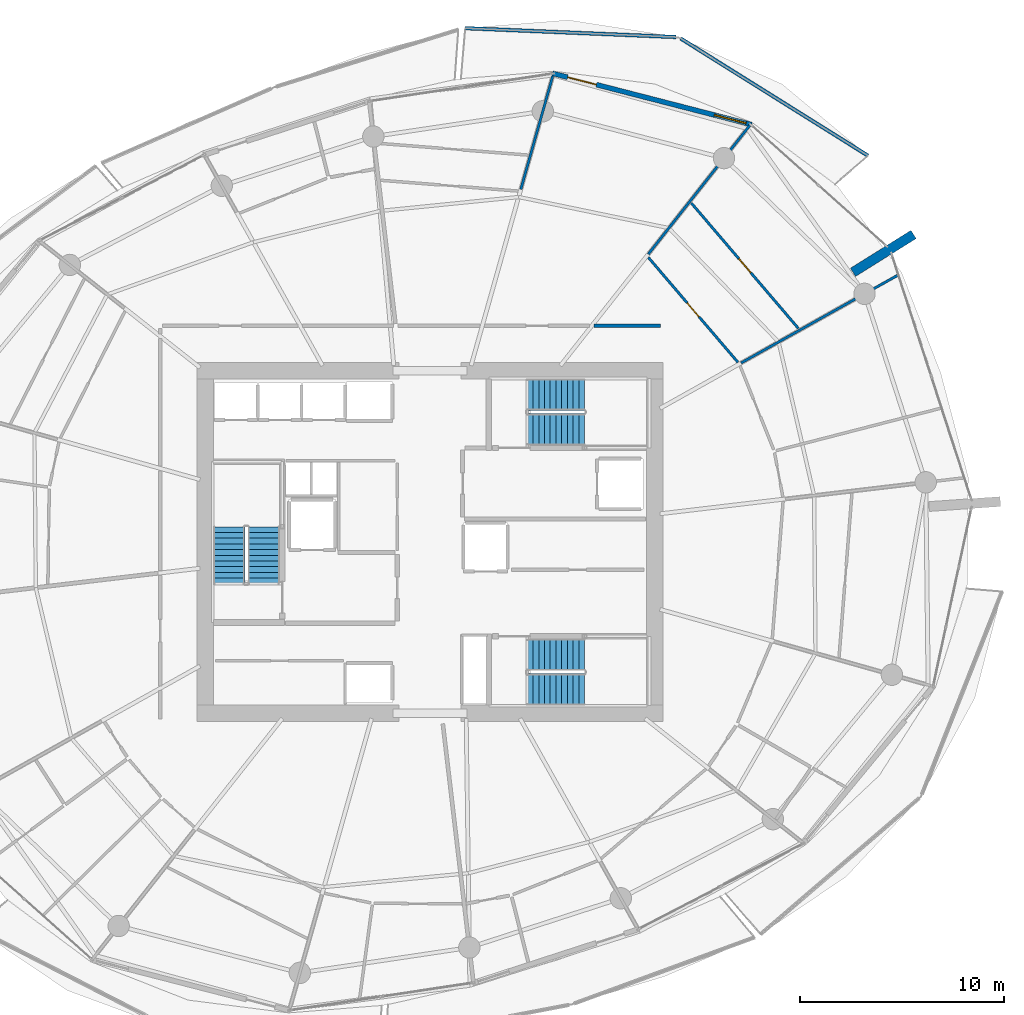
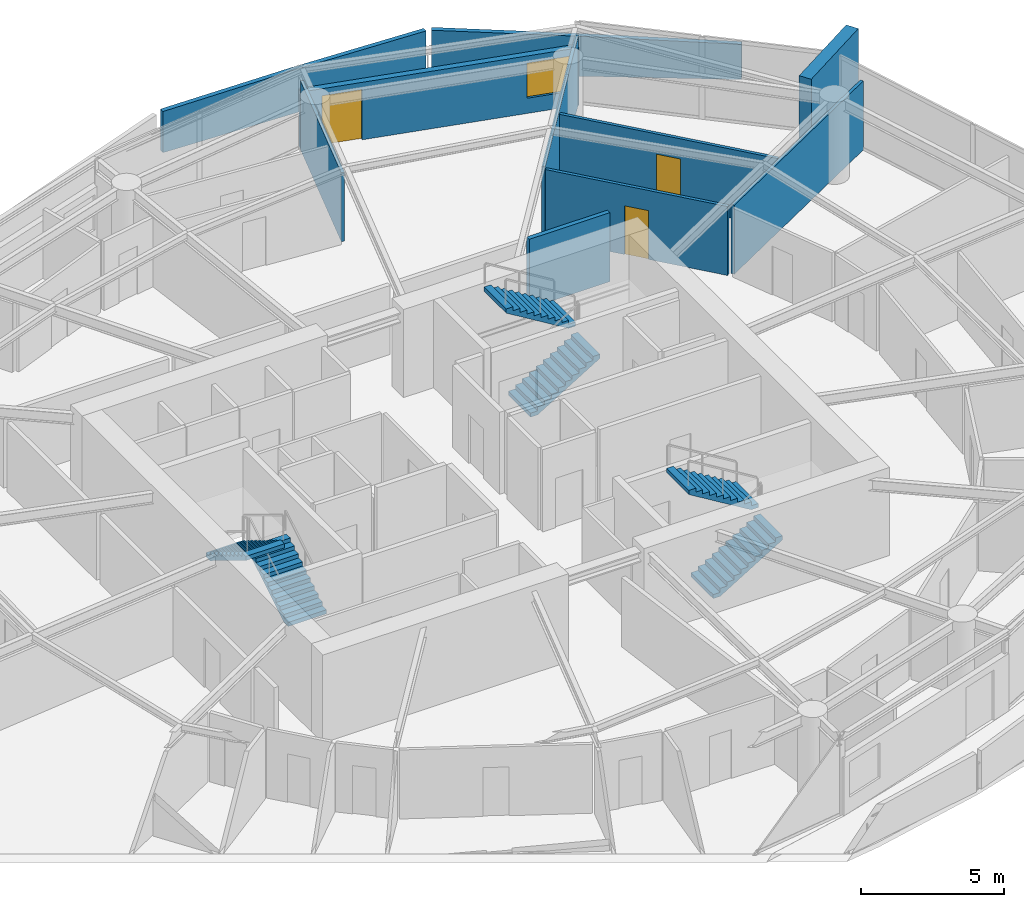
# One storey, part 15 of 20: 10 walls, 6 stair flights, 3 doors, 1 window, 4 openings, 3 elements without a shape of their own.
"""IFC4 building model written with IfcOpenShell, lengths in metres."""

import ifcopenshell
import ifcopenshell.guid

model = None  # the IFC model being written
_history = None  # IfcOwnerHistory: only IFC2X3 demands one
_inside = {}  # id of a spatial element -> (the spatial element, [elements in it])
_under = {}  # id of a project, library or spatial element -> (it, [spatial elements below it])
_declared = {}  # id of a project -> (the project, [libraries it declares])
_typed = {}  # id of a type object -> (the type object, [elements of that type])
_made_of = {}  # id of a material, layer set ... -> (it, [elements and type objects made of it])


def new_model(schema):
    """Start an empty IFC model of exactly this schema.

    Asked for "IFC4X3", IfcOpenShell would pick the latest addendum, in which some entities
    have other attributes; the version numbers below select the first issue.
    IFC2X3 requires an IfcOwnerHistory on every rooted entity: one is made here for all.
    """
    global model, _history
    if schema == "IFC4X3":
        model = ifcopenshell.file(schema_version=(4, 3, 0, 0))
    else:
        model = ifcopenshell.file(schema=schema)
    _inside.clear()
    _under.clear()
    _declared.clear()
    _typed.clear()
    _made_of.clear()
    _history = None
    if model.schema == "IFC2X3":
        org = make("IfcOrganization", Name="unknown")
        user = make(
            "IfcPersonAndOrganization",
            ThePerson=make("IfcPerson", FamilyName="unknown"),
            TheOrganization=org,
        )
        app = make(
            "IfcApplication",
            ApplicationDeveloper=org,
            Version="unknown",
            ApplicationFullName="unknown",
            ApplicationIdentifier="unknown",
        )
        _history = make(
            "IfcOwnerHistory",
            OwningUser=user,
            OwningApplication=app,
            ChangeAction="ADDED",
            CreationDate=0,
        )
    return model


def make(cls, **values):
    """One entity of the class cls with the attributes given. An attribute that is None is left unset."""
    return model.create_entity(
        cls, **{name: value for name, value in values.items() if value is not None}
    )


def rooted(cls, **values):
    """An entity with a GlobalId (a new one), such as an element, a storey or a relation."""
    return make(cls, GlobalId=ifcopenshell.guid.new(), OwnerHistory=_history, **values)


def si_unit(unit_type, name, prefix=None):
    """IfcSIUnit, for example si_unit("LENGTHUNIT", "METRE", prefix="MILLI")."""
    return make("IfcSIUnit", UnitType=unit_type, Prefix=prefix, Name=name)


def assignment(units):
    """IfcUnitAssignment: the units of a project."""
    return None if units is None else make("IfcUnitAssignment", Units=units)


def point(xyz):
    """IfcCartesianPoint."""
    return None if xyz is None else make("IfcCartesianPoint", Coordinates=xyz)


def direction(xyz):
    """IfcDirection."""
    return None if xyz is None else make("IfcDirection", DirectionRatios=xyz)


def frame(location, z_axis=None, x_axis=None):
    """IfcAxis2Placement3D, a coordinate frame: its origin and axes. An axis left out is left unset."""
    return make(
        "IfcAxis2Placement3D",
        Location=point(location),
        Axis=direction(z_axis),
        RefDirection=direction(x_axis),
    )


def frame_2d(location, x_axis=None):
    """IfcAxis2Placement2D, a coordinate frame in the plane: its origin and x axis."""
    return make(
        "IfcAxis2Placement2D", Location=point(location), RefDirection=direction(x_axis)
    )


def origin():
    """The frame at (0, 0, 0) with its axes left unset."""
    return frame((0.0, 0.0, 0.0))


def place(relative_to, where):
    """IfcLocalPlacement: puts the frame where relative to a parent placement (None: the world)."""
    return make(
        "IfcLocalPlacement", PlacementRelTo=relative_to, RelativePlacement=where
    )


def context(
    kind, dimensions, precision=None, world=None, true_north=None, identifier=None
):
    """IfcGeometricRepresentationContext, for example the 3D "Model" context."""
    return make(
        "IfcGeometricRepresentationContext",
        ContextIdentifier=identifier,
        ContextType=kind,
        CoordinateSpaceDimension=dimensions,
        Precision=precision,
        WorldCoordinateSystem=world,
        TrueNorth=true_north,
    )


def subcontext(parent, identifier, kind, view, scale=None):
    """IfcGeometricRepresentationSubContext, for example "Body" below "Model"."""
    return make(
        "IfcGeometricRepresentationSubContext",
        ContextIdentifier=identifier,
        ContextType=kind,
        ParentContext=parent,
        TargetScale=scale,
        TargetView=view,
    )


def project(units=None, contexts=None):
    """IfcProject with its units and contexts."""
    return rooted(
        "IfcProject",
        Name="project",
        RepresentationContexts=contexts,
        UnitsInContext=assignment(units),
    )


def spatial(cls, under=None, at=None, **own):
    """A site, building, storey or space (cls), placed at a placement, below another one or the project."""
    s = rooted(cls, ObjectPlacement=at, **own)
    if under is not None:
        _under.setdefault(under.id(), (under, []))[1].append(s)
    return s


def polyline(points):
    """IfcPolyline through the points."""
    return make("IfcPolyline", Points=[point(p) for p in points])


def profile(cls, at=None, kind="AREA", **sizes):
    """A parametric profile (cls). Its sizes go by their IFC names, for example OverallWidth=200.0."""
    return make(cls, ProfileType=kind, Position=at, **sizes)


def rectangle(**sizes):
    """IfcRectangleProfileDef."""
    return profile("IfcRectangleProfileDef", **sizes)


def outline(outer, holes=None, kind="AREA"):
    """IfcArbitraryClosedProfileDef: a profile drawn as a closed curve; with holes, ...WithVoids."""
    if holes is None:
        return make("IfcArbitraryClosedProfileDef", ProfileType=kind, OuterCurve=outer)
    return make(
        "IfcArbitraryProfileDefWithVoids",
        ProfileType=kind,
        OuterCurve=outer,
        InnerCurves=holes,
    )


def extrude(swept, where, along, depth):
    """IfcExtrudedAreaSolid: the profile swept, set in the frame where, extruded along a direction by depth."""
    return make(
        "IfcExtrudedAreaSolid",
        SweptArea=swept,
        Position=where,
        ExtrudedDirection=direction(along),
        Depth=depth,
    )


def shape(context_of_items, identifier, shape_type, items):
    """IfcShapeRepresentation: the items that make up one representation, for example the "Body"."""
    return make(
        "IfcShapeRepresentation",
        ContextOfItems=context_of_items,
        RepresentationIdentifier=identifier,
        RepresentationType=shape_type,
        Items=items,
    )


def material(Name=None, Category=None):
    """IfcMaterial."""
    return make("IfcMaterial", Name=Name, Category=Category)


def layer(
    of_material, thickness, ventilated=None, Name=None, Category=None, Priority=None
):
    """IfcMaterialLayer: one layer of a wall or slab, of a material (None: an air gap)."""
    return make(
        "IfcMaterialLayer",
        Material=of_material,
        LayerThickness=thickness,
        IsVentilated=ventilated,
        Name=Name,
        Category=Category,
        Priority=Priority,
    )


def layer_set(layers, Name=None):
    """IfcMaterialLayerSet."""
    return make("IfcMaterialLayerSet", MaterialLayers=layers, LayerSetName=Name)


def made_of(thing, what):
    """Note that an element or type object is made of a material, layer set ...; save() writes the relation."""
    if what is not None:
        _made_of.setdefault(what.id(), (what, []))[1].append(thing)
    return thing


def type_object(cls, material=None, **own):
    """A type object (cls), such as IfcWallType, which elements share."""
    return made_of(rooted(cls, **own), material)


def element(
    cls,
    number,
    at=None,
    inside=None,
    cuts=None,
    type_object=None,
    material=None,
    context=None,
    identifier="Body",
    shape_type=None,
    held_by="IfcProductDefinitionShape",
    body=None,
    shapes=None,
    **own,
):
    """One element of the class cls, such as IfcWall. Its Tag is "e" and its number.

    at: its placement. inside: the storey or other place that contains it. cuts: it is an
    opening in that element (IfcRelVoidsElement). A single representation is given by context,
    identifier, shape_type and body (its items); several are given by shapes. held_by: the class
    of the entity that holds the representations. save() writes the other relations.
    """
    e = rooted(cls, Tag="e%d" % number, ObjectPlacement=at, **own)
    if body is not None:
        shapes = [shape(context, identifier, shape_type, body)]
    if shapes is not None:
        e.Representation = make(held_by, Representations=shapes)
    if inside is not None:
        _inside.setdefault(inside.id(), (inside, []))[1].append(e)
    if cuts is not None:
        rooted(
            "IfcRelVoidsElement", RelatingBuildingElement=cuts, RelatedOpeningElement=e
        )
    if type_object is not None:
        _typed.setdefault(type_object.id(), (type_object, []))[1].append(e)
    return made_of(e, material)


def fill(opening, filler):
    """IfcRelFillsElement: the door or window that sits in an opening."""
    return rooted(
        "IfcRelFillsElement",
        RelatingOpeningElement=opening,
        RelatedBuildingElement=filler,
    )


def aggregate(whole, parts):
    """IfcRelAggregates: a whole, such as a stair, and the parts it consists of."""
    return rooted("IfcRelAggregates", RelatingObject=whole, RelatedObjects=parts)


def save(model, path):
    """Write the relations noted so far, then the file.

    IfcRelAggregates (storeys below a building ...), IfcRelContainedInSpatialStructure (elements
    in a storey), IfcRelDefinesByType, IfcRelAssociatesMaterial and IfcRelDeclares: one each for
    every whole, place, type object, material and project.
    """
    for whole, parts in _under.values():
        aggregate(whole, parts)
    for where, things in _inside.values():
        rooted(
            "IfcRelContainedInSpatialStructure",
            RelatedElements=things,
            RelatingStructure=where,
        )
    for kind, things in _typed.values():
        rooted("IfcRelDefinesByType", RelatedObjects=things, RelatingType=kind)
    for what, things in _made_of.values():
        rooted("IfcRelAssociatesMaterial", RelatedObjects=things, RelatingMaterial=what)
    for by, libraries in _declared.values():
        rooted("IfcRelDeclares", RelatingContext=by, RelatedDefinitions=libraries)
    model.write(path)


model = new_model("IFC4")

# Units and contexts
model_context = context("Model", 3, precision=1e-05, world=origin(), true_north=direction((0.0, 1.0)))
body_context = subcontext(model_context, "Body", "Model", "MODEL_VIEW")
ifc_project = project(units=[si_unit("LENGTHUNIT", "METRE"), si_unit("AREAUNIT", "SQUARE_METRE"), si_unit("VOLUMEUNIT", "CUBIC_METRE"), si_unit("PLANEANGLEUNIT", "RADIAN"), si_unit("MASSUNIT", "GRAM", prefix="KILO")], contexts=[model_context])

# Site, building, storey
site_placement = place(None, origin())
site = spatial("IfcSite", under=ifc_project, at=site_placement, CompositionType="ELEMENT")
building_placement = place(site_placement, origin())
building = spatial("IfcBuilding", under=site, at=building_placement, Name="Kazma Halo Residences", CompositionType="ELEMENT")
storey_placement = place(building_placement, frame((0.0, 0.0, 161.550048828125)))
storey = spatial("IfcBuildingStorey", under=building, at=storey_placement, Name="L40", CompositionType="ELEMENT", Elevation=161.550048828125)

# Walls
ifc_material_1 = material(Name="White Concrete C50/60 Balustrade", Category="concrete")
ifc_layer_1 = layer(ifc_material_1, 0.179931640625)
ifc_layer_set_1 = layer_set([ifc_layer_1], Name="White Concrete C50/60 Balustrade")
wall_type_1 = type_object("IfcWallType", Name="WL-BAL-WAVE-180", PredefinedType="PARAPET", material=ifc_layer_set_1)
wall_1_placement = place(storey_placement, frame((69.904052734375, 60.9404296875, 0.0), z_axis=(0.0, 0.0, 1.0), x_axis=(-0.847688171498, 0.53049482929, 0.0)))
element("IfcWall", 1, at=wall_1_placement, inside=storey, type_object=wall_type_1, Name="L40 white wave balustrade wall NE.1", PredefinedType="PARAPET", context=body_context, shape_type="SweptSolid", body=[
    extrude(outline(polyline([(0.0, 0.0), (10.84033203125, 0.0), (10.840087890625, 1.83203125), (5.420166015625, 1.696044921875), (0.0, 1.4970703125), (0.0, 0.0)])), frame((0.0, 0.08984375, 0.0), z_axis=(0.0, -1.0, 0.0), x_axis=(1.0, 0.0, 0.0)), (0.0, 0.0, 1.0), 0.179931640625),
])
wall_2_placement = place(storey_placement, frame((60.493408203125, 66.759765625, 0.0), z_axis=(0.0, 0.0, 1.0), x_axis=(-0.999118685157, 0.041974432349, 0.0)))
element("IfcWall", 2, at=wall_2_placement, inside=storey, type_object=wall_type_1, Name="L40 white wave balustrade wall NE.2", PredefinedType="PARAPET", context=body_context, shape_type="SweptSolid", body=[
    extrude(outline(polyline([(0.0, 0.0), (10.36474609375, 0.0), (10.364501953125, 1.755859375), (5.182373046875, 1.85302734375), (0.0, 1.83203125), (0.0, 0.0)])), frame((0.0, 0.08984375, 0.0), z_axis=(0.0, -1.0, 0.0), x_axis=(1.0, 0.0, 0.0)), (0.0, 0.0, 1.0), 0.179931640625),
])
ifc_material_2 = material(Name="Pale Concrete C60/75", Category="concrete")
ifc_layer_2 = layer(ifc_material_2, 0.47998046875)
ifc_layer_set_2 = layer_set([ifc_layer_2], Name="Pale Concrete C60/75")
wall_type_2 = type_object("IfcWallType", Name="WL-BLADE-480", PredefinedType="SOLIDWALL", material=ifc_layer_set_2)
wall_3_placement = place(storey_placement, frame((69.165283203125, 55.2255859375, 0.0), z_axis=(0.0, 0.0, 1.0), x_axis=(0.848053161125, 0.529911158502, 0.0)))
element("IfcWall", 3, at=wall_3_placement, inside=storey, type_object=wall_type_2, Name="L40 pale concrete structural blade fin wall BW-01", PredefinedType="SOLIDWALL", context=body_context, shape_type="SweptSolid", body=[
    extrude(rectangle(XDim=3.5, YDim=0.47998046875, at=frame_2d((1.75, 0.0))), origin(), (0.0, 0.0, 1.0), 3.75),
])
ifc_material_3 = material(Name="Acoustic Twin-Stud Gypsum")
ifc_layer_3 = layer(ifc_material_3, 0.179931640625)
ifc_layer_set_3 = layer_set([ifc_layer_3], Name="Acoustic Twin-Stud Gypsum")
wall_type_3 = type_object("IfcWallType", Name="WL-DEM-180", PredefinedType="PARTITIONING", material=ifc_layer_set_3)
wall_4_placement = place(storey_placement, frame((59.72998046875, 52.60009765625, 0.0), z_axis=(0.0, 0.0, 1.0), x_axis=(-1.0, 0.0, 0.0)))
element("IfcWall", 4, at=wall_4_placement, inside=storey, type_object=wall_type_3, Name="L40 Apartment 3 inner wall 0", PredefinedType="PARTITIONING", context=body_context, shape_type="SweptSolid", body=[
    extrude(rectangle(XDim=3.253662109375, YDim=0.179931640625, at=frame_2d((1.626953125, 0.0))), origin(), (0.0, 0.0, 1.0), 2.93994140625),
])

# Wall, openings, door, window
ifc_material_4 = material(Name="Insulated Pale-Metal Composite Wall")
ifc_layer_4 = layer(ifc_material_4, 0.239990234375)
ifc_layer_set_4 = layer_set([ifc_layer_4], Name="Insulated Pale-Metal Composite Wall")
wall_type_4 = type_object("IfcWallType", Name="WL-EXT-HOST-240", PredefinedType="SOLIDWALL", material=ifc_layer_set_4)
wall_5_placement = place(storey_placement, frame((64.192138671875, 62.4658203125, 0.0), z_axis=(0.0, 0.0, 1.0), x_axis=(-0.968379685126, 0.249481032214, 0.0)))
wall_5 = element("IfcWall", 5, at=wall_5_placement, inside=storey, type_object=wall_type_4, Name="L40 exterior terrace-access wall B02", PredefinedType="SOLIDWALL", context=body_context, shape_type="SweptSolid", body=[
    extrude(rectangle(XDim=10.08154296875, YDim=0.239990234375, at=frame_2d((5.040771484375, 0.0))), origin(), (0.0, 0.0, 1.0), 2.449951171875),
])
opening_1_placement = place(wall_5_placement, frame((7.861572265625, 0.0, 0.0)))
opening_1 = element("IfcOpeningElement", 6, at=opening_1_placement, cuts=wall_5, Name="Opening DTR-1600", PredefinedType="OPENING", context=body_context, shape_type="SweptSolid", body=[
    extrude(rectangle(XDim=1.449951171875, YDim=2.14990234375, at=frame_2d((0.72509765625, 1.074951171875))), frame((0.0, 0.1298828125, 0.0), z_axis=(0.0, -1.0, 0.0), x_axis=(1.0, 0.0, 0.0)), (0.0, 0.0, 1.0), 0.260009765625),
])
opening_2_placement = place(wall_5_placement, frame((0.280029296875, 0.0, 0.64990234375)))
opening_2 = element("IfcOpeningElement", 7, at=opening_2_placement, cuts=wall_5, Name="Opening W-1800", PredefinedType="OPENING", context=body_context, shape_type="SweptSolid", body=[
    extrude(rectangle(XDim=1.60009765625, YDim=1.5, at=frame_2d((0.800048828125, 0.75))), frame((0.0, 0.1298828125, 0.0), z_axis=(0.0, -1.0, 0.0), x_axis=(1.0, 0.0, 0.0)), (0.0, 0.0, 1.0), 0.260009765625),
])
ifc_material_5 = material(Name="Aluminium AW-6063 T6 Double-Glazed Terrace Door", Category="aluminium")
door_type_1 = type_object("IfcDoorType", Name="DR-EXT-TERR-1600", OperationType="NOTDEFINED", PredefinedType="DOOR", material=ifc_material_5)
door_1_placement = place(opening_1_placement, origin())
door_1 = element("IfcDoor", 8, at=door_1_placement, inside=storey, type_object=door_type_1, Name="L40 B02 balcony terrace door", OperationType="DOUBLE_DOOR_SLIDING", OverallHeight=2.14990234375, OverallWidth=1.449951171875, PredefinedType="DOOR", context=body_context, shape_type="SweptSolid", body=[
    extrude(rectangle(XDim=1.449951171875, YDim=2.14990234375, at=frame_2d((0.72509765625, 1.074951171875))), frame((0.0, 0.02490234375, 0.0), z_axis=(0.0, -1.0, 0.0), x_axis=(1.0, 0.0, 0.0)), (0.0, 0.0, 1.0), 0.050048828125),
])
fill(opening_1, door_1)
ifc_material_6 = material(Name="Clear Triple-Silver Low-E Glass in Aluminium AW-6063 T6 Frame", Category="aluminium")
window_type = type_object("IfcWindowType", Name="WIN-RES-1800", PartitioningType="DOUBLE_PANEL_VERTICAL", PredefinedType="WINDOW", material=ifc_material_6)
window_placement = place(opening_2_placement, origin())
window = element("IfcWindow", 9, at=window_placement, inside=storey, type_object=window_type, Name="L40 B02 apartment window", OverallHeight=1.5, OverallWidth=1.60009765625, PartitioningType="SINGLE_PANEL", PredefinedType="WINDOW", context=body_context, shape_type="SweptSolid", body=[
    extrude(rectangle(XDim=1.60009765625, YDim=1.5, at=frame_2d((0.800048828125, 0.75))), frame((0.0, 0.030029296875, 0.0), z_axis=(0.0, -1.0, 0.0), x_axis=(1.0, 0.0, 0.0)), (0.0, 0.0, 1.0), 0.06005859375),
])
fill(opening_2, window)

# Walls
ifc_material_7 = material(Name="Gypsum Plasterboard Partition")
ifc_layer_5 = layer(ifc_material_7, 0.125)
ifc_layer_set_5 = layer_set([ifc_layer_5], Name="Gypsum Plasterboard Partition")
wall_type_5 = type_object("IfcWallType", Name="WL-PART-125", PredefinedType="PARTITIONING", material=ifc_layer_set_5)
wall_6_placement = place(storey_placement, frame((63.6787109375, 50.780517578125, 0.0), z_axis=(0.0, 0.0, 1.0), x_axis=(0.872493265844, 0.488626136281, 0.0)))
element("IfcWall", 10, at=wall_6_placement, inside=storey, type_object=wall_type_5, Name="L40 Apartment 3 radial partition 0", PredefinedType="PARTITIONING", context=body_context, shape_type="SweptSolid", body=[
    extrude(rectangle(XDim=8.816162109375, YDim=0.125, at=frame_2d((4.408203125, 0.0))), origin(), (0.0, 0.0, 1.0), 2.93994140625),
])
wall_7_placement = place(storey_placement, frame((59.125, 56.112060546875, 0.0), z_axis=(0.0, 0.0, 1.0), x_axis=(0.61910151414, 0.78531096719, 0.0)))
element("IfcWall", 11, at=wall_7_placement, inside=storey, type_object=wall_type_5, Name="L40 Apartment 3 living radial partition 0", PredefinedType="PARTITIONING", context=body_context, shape_type="SweptSolid", body=[
    extrude(rectangle(XDim=8.081787109375, YDim=0.125, at=frame_2d((4.041015625, 0.0))), origin(), (0.0, 0.0, 1.0), 2.93994140625),
])

# Wall, opening, door
wall_8_placement = place(storey_placement, frame((63.52001953125, 50.815185546875, 0.0), z_axis=(0.0, 0.0, 1.0), x_axis=(-0.649447526186, 0.760406411553, 0.0)))
wall_8 = element("IfcWall", 12, at=wall_8_placement, inside=storey, type_object=wall_type_5, Name="L40 Apartment 3 Sky Study hall wall", PredefinedType="PARTITIONING", context=body_context, shape_type="SweptSolid", body=[
    extrude(rectangle(XDim=6.752685546875, YDim=0.125, at=frame_2d((3.37646484375, 0.0))), origin(), (0.0, 0.0, 1.0), 2.93994140625),
])
opening_3_placement = place(wall_8_placement, frame((2.92626953125, 0.0, 0.0)))
opening_3 = element("IfcOpeningElement", 13, at=opening_3_placement, cuts=wall_8, Name="Opening DI-950", PredefinedType="OPENING", context=body_context, shape_type="SweptSolid", body=[
    extrude(rectangle(XDim=0.89990234375, YDim=2.080078125, at=frame_2d((0.449951171875, 1.0400390625))), frame((0.0, 0.072509765625, 0.0), z_axis=(0.0, -1.0, 0.0), x_axis=(1.0, 0.0, 0.0)), (0.0, 0.0, 1.0), 0.14501953125),
])
ifc_material_8 = material(Name="Timber Veneer Flush Leaf", Category="wood")
door_type_2 = type_object("IfcDoorType", Name="DR-INT-950", OperationType="NOTDEFINED", PredefinedType="DOOR", material=ifc_material_8)
door_2_placement = place(opening_3_placement, origin())
door_2 = element("IfcDoor", 14, at=door_2_placement, inside=storey, type_object=door_type_2, Name="L40 Apartment 3 Sky Study door", OperationType="SINGLE_SWING_LEFT", OverallHeight=2.080078125, OverallWidth=0.89990234375, PredefinedType="DOOR", context=body_context, shape_type="SweptSolid", body=[
    extrude(rectangle(XDim=0.89990234375, YDim=2.080078125, at=frame_2d((0.449951171875, 1.0400390625))), frame((0.0, 0.02490234375, 0.0), z_axis=(0.0, -1.0, 0.0), x_axis=(1.0, 0.0, 0.0)), (0.0, 0.0, 1.0), 0.050048828125),
])
fill(opening_3, door_2)

wall_9_placement = place(storey_placement, frame((66.485595703125, 52.47607421875, 0.0), z_axis=(0.0, 0.0, 1.0), x_axis=(-0.649426515446, 0.760424355894, 0.0)))
wall_9 = element("IfcWall", 15, at=wall_9_placement, inside=storey, type_object=wall_type_5, Name="L40 Apartment 3 Gulf Master Bedroom divider wall", PredefinedType="PARTITIONING", context=body_context, shape_type="SweptSolid", body=[
    extrude(rectangle(XDim=8.078857421875, YDim=0.125, at=frame_2d((4.03955078125, 0.0))), origin(), (0.0, 0.0, 1.0), 2.93994140625),
])
opening_4_placement = place(wall_9_placement, frame((3.58935546875, 0.0, 0.0)))
opening_4 = element("IfcOpeningElement", 16, at=opening_4_placement, cuts=wall_9, Name="Opening DI-950", PredefinedType="OPENING", context=body_context, shape_type="SweptSolid", body=[
    extrude(rectangle(XDim=0.89990234375, YDim=2.080078125, at=frame_2d((0.449951171875, 1.0400390625))), frame((0.0, 0.072509765625, 0.0), z_axis=(0.0, -1.0, 0.0), x_axis=(1.0, 0.0, 0.0)), (0.0, 0.0, 1.0), 0.14501953125),
])
door_3_placement = place(opening_4_placement, origin())
door_3 = element("IfcDoor", 17, at=door_3_placement, inside=storey, type_object=door_type_2, Name="L40 Apartment 3 Gulf Master Bedroom door", OperationType="SINGLE_SWING_RIGHT", OverallHeight=2.080078125, OverallWidth=0.89990234375, PredefinedType="DOOR", context=body_context, shape_type="SweptSolid", body=[
    extrude(rectangle(XDim=0.89990234375, YDim=2.080078125, at=frame_2d((0.449951171875, 1.0400390625))), frame((0.0, 0.02490234375, 0.0), z_axis=(0.0, -1.0, 0.0), x_axis=(1.0, 0.0, 0.0)), (0.0, 0.0, 1.0), 0.050048828125),
])
fill(opening_4, door_3)

# Wall
wall_10_placement = place(storey_placement, frame((52.877685546875, 59.29541015625, 0.0), z_axis=(0.0, 0.0, 1.0), x_axis=(0.271461170106, 0.962449392501, 0.0)))
element("IfcWall", 18, at=wall_10_placement, inside=storey, type_object=wall_type_5, Name="L40 Apartment 3 radial partition 2", PredefinedType="PARTITIONING", context=body_context, shape_type="SweptSolid", body=[
    extrude(rectangle(XDim=5.769287109375, YDim=0.125, at=frame_2d((2.884765625, 0.0))), origin(), (0.0, 0.0, 1.0), 2.93994140625),
])

# Stair, stair flights
ifc_material_9 = material(Name="Concrete C50/60", Category="concrete")
stair_type = type_object("IfcStairType", Name="STR-RES1", PredefinedType="HALF_TURN_STAIR", material=ifc_material_9)
stair_1_placement = place(storey_placement, origin())
stair_1 = element("IfcStair", 19, at=stair_1_placement, inside=storey, type_object=stair_type, Name="L40 Core exit stair ST-01", PredefinedType="HALF_TURN_STAIR")
stair_flight_type = type_object("IfcStairFlightType", Name="STR-RES1-FLT", PredefinedType="STRAIGHT", material=ifc_material_9)
stair_flight_1_placement = place(storey_placement, frame((40.27490234375, 39.949951171875, 0.0), z_axis=(0.0, 0.0, 1.0), x_axis=(0.0, 1.0, 0.0)))
stair_flight_1 = element("IfcStairFlight", 20, at=stair_flight_1_placement, type_object=stair_flight_type, Name="ST-01 flight 1", NumberOfRisers=11, NumberOfTreads=10, PredefinedType="STRAIGHT", RiserHeight=0.170454545, TreadLength=0.28, context=body_context, shape_type="SweptSolid", body=[
    extrude(outline(polyline([(0.0, 0.0), (0.0, 0.17041015625), (0.280029296875, 0.17041015625), (0.280029296875, 0.3408203125), (0.56005859375, 0.3408203125), (0.56005859375, 0.511474609375), (0.840087890625, 0.511474609375), (0.840087890625, 0.681884765625), (1.1201171875, 0.681884765625), (1.1201171875, 0.852294921875), (1.39990234375, 0.852294921875), (1.39990234375, 1.022705078125), (1.679931640625, 1.022705078125), (1.679931640625, 1.193115234375), (1.9599609375, 1.193115234375), (1.9599609375, 1.363525390625), (2.239990234375, 1.363525390625), (2.239990234375, 1.5341796875), (2.52001953125, 1.5341796875), (2.52001953125, 1.70458984375), (2.800048828125, 1.70458984375), (2.800048828125, 1.875), (2.800048828125, 1.529052734375), (0.288330078125, 0.0), (0.0, 0.0)])), frame((0.0, 0.77490234375, 0.0), z_axis=(0.0, -1.0, 0.0), x_axis=(1.0, 0.0, 0.0)), (0.0, 0.0, 1.0), 1.550048828125),
])
stair_flight_2_placement = place(storey_placement, frame((38.574951171875, 42.75, 1.875), z_axis=(0.0, 0.0, 1.0), x_axis=(0.0, -1.0, 0.0)))
stair_flight_2 = element("IfcStairFlight", 21, at=stair_flight_2_placement, type_object=stair_flight_type, Name="ST-01 flight 2", NumberOfRisers=11, NumberOfTreads=10, PredefinedType="STRAIGHT", RiserHeight=0.170454545, TreadLength=0.28, context=body_context, shape_type="SweptSolid", body=[
    extrude(outline(polyline([(0.0, 0.0), (0.0, 0.17041015625), (0.280029296875, 0.17041015625), (0.280029296875, 0.3408203125), (0.56005859375, 0.3408203125), (0.56005859375, 0.511474609375), (0.840087890625, 0.511474609375), (0.840087890625, 0.681884765625), (1.1201171875, 0.681884765625), (1.1201171875, 0.852294921875), (1.39990234375, 0.852294921875), (1.39990234375, 1.022705078125), (1.679931640625, 1.022705078125), (1.679931640625, 1.193115234375), (1.9599609375, 1.193115234375), (1.9599609375, 1.363525390625), (2.239990234375, 1.363525390625), (2.239990234375, 1.5341796875), (2.52001953125, 1.5341796875), (2.52001953125, 1.70458984375), (2.800048828125, 1.70458984375), (2.800048828125, 1.875), (2.800048828125, 1.529052734375), (0.288330078125, 0.0), (0.0, 0.0)])), frame((0.0, 0.77490234375, 0.0), z_axis=(0.0, -1.0, 0.0), x_axis=(1.0, 0.0, 0.0)), (0.0, 0.0, 1.0), 1.550048828125),
])
aggregate(stair_1, [stair_flight_1, stair_flight_2])

stair_2_placement = place(storey_placement, origin())
stair_2 = element("IfcStair", 22, at=stair_2_placement, inside=storey, type_object=stair_type, Name="L40 Core exit stair ST-02", PredefinedType="HALF_TURN_STAIR")
stair_flight_3_placement = place(storey_placement, frame((53.199951171875, 47.52490234375, 0.0), z_axis=(0.0, 0.0, 1.0), x_axis=(1.0, 0.0, 0.0)))
stair_flight_3 = element("IfcStairFlight", 23, at=stair_flight_3_placement, type_object=stair_flight_type, Name="ST-02 flight 1", NumberOfRisers=11, NumberOfTreads=10, PredefinedType="STRAIGHT", RiserHeight=0.170454545, TreadLength=0.28, context=body_context, shape_type="SweptSolid", body=[
    extrude(outline(polyline([(0.0, 0.0), (0.0, 0.17041015625), (0.280029296875, 0.17041015625), (0.280029296875, 0.3408203125), (0.56005859375, 0.3408203125), (0.56005859375, 0.511474609375), (0.840087890625, 0.511474609375), (0.840087890625, 0.681884765625), (1.1201171875, 0.681884765625), (1.1201171875, 0.852294921875), (1.39990234375, 0.852294921875), (1.39990234375, 1.022705078125), (1.679931640625, 1.022705078125), (1.679931640625, 1.193115234375), (1.9599609375, 1.193115234375), (1.9599609375, 1.363525390625), (2.239990234375, 1.363525390625), (2.239990234375, 1.5341796875), (2.52001953125, 1.5341796875), (2.52001953125, 1.70458984375), (2.800048828125, 1.70458984375), (2.800048828125, 1.875), (2.800048828125, 1.529052734375), (0.288330078125, 0.0), (0.0, 0.0)])), frame((0.0, 0.77490234375, 0.0), z_axis=(0.0, -1.0, 0.0), x_axis=(1.0, 0.0, 0.0)), (0.0, 0.0, 1.0), 1.550048828125),
])
stair_flight_4_placement = place(storey_placement, frame((56.0, 49.22509765625, 1.875), z_axis=(0.0, 0.0, 1.0), x_axis=(-1.0, 0.0, 0.0)))
stair_flight_4 = element("IfcStairFlight", 24, at=stair_flight_4_placement, type_object=stair_flight_type, Name="ST-02 flight 2", NumberOfRisers=11, NumberOfTreads=10, PredefinedType="STRAIGHT", RiserHeight=0.170454545, TreadLength=0.28, context=body_context, shape_type="SweptSolid", body=[
    extrude(outline(polyline([(0.0, 0.0), (0.0, 0.17041015625), (0.280029296875, 0.17041015625), (0.280029296875, 0.3408203125), (0.56005859375, 0.3408203125), (0.56005859375, 0.511474609375), (0.840087890625, 0.511474609375), (0.840087890625, 0.681884765625), (1.1201171875, 0.681884765625), (1.1201171875, 0.852294921875), (1.39990234375, 0.852294921875), (1.39990234375, 1.022705078125), (1.679931640625, 1.022705078125), (1.679931640625, 1.193115234375), (1.9599609375, 1.193115234375), (1.9599609375, 1.363525390625), (2.239990234375, 1.363525390625), (2.239990234375, 1.5341796875), (2.52001953125, 1.5341796875), (2.52001953125, 1.70458984375), (2.800048828125, 1.70458984375), (2.800048828125, 1.875), (2.800048828125, 1.529052734375), (0.288330078125, 0.0), (0.0, 0.0)])), frame((0.0, 0.77490234375, 0.0), z_axis=(0.0, -1.0, 0.0), x_axis=(1.0, 0.0, 0.0)), (0.0, 0.0, 1.0), 1.550048828125),
])
aggregate(stair_2, [stair_flight_3, stair_flight_4])

stair_3_placement = place(storey_placement, origin())
stair_3 = element("IfcStair", 25, at=stair_3_placement, inside=storey, type_object=stair_type, Name="L40 Core exit stair ST-03", PredefinedType="HALF_TURN_STAIR")
stair_flight_5_placement = place(storey_placement, frame((53.199951171875, 34.77490234375, 0.0), z_axis=(0.0, 0.0, 1.0), x_axis=(1.0, 0.0, 0.0)))
stair_flight_5 = element("IfcStairFlight", 26, at=stair_flight_5_placement, type_object=stair_flight_type, Name="ST-03 flight 1", NumberOfRisers=11, NumberOfTreads=10, PredefinedType="STRAIGHT", RiserHeight=0.170454545, TreadLength=0.28, context=body_context, shape_type="SweptSolid", body=[
    extrude(outline(polyline([(0.0, 0.0), (0.0, 0.17041015625), (0.280029296875, 0.17041015625), (0.280029296875, 0.3408203125), (0.56005859375, 0.3408203125), (0.56005859375, 0.511474609375), (0.840087890625, 0.511474609375), (0.840087890625, 0.681884765625), (1.1201171875, 0.681884765625), (1.1201171875, 0.852294921875), (1.39990234375, 0.852294921875), (1.39990234375, 1.022705078125), (1.679931640625, 1.022705078125), (1.679931640625, 1.193115234375), (1.9599609375, 1.193115234375), (1.9599609375, 1.363525390625), (2.239990234375, 1.363525390625), (2.239990234375, 1.5341796875), (2.52001953125, 1.5341796875), (2.52001953125, 1.70458984375), (2.800048828125, 1.70458984375), (2.800048828125, 1.875), (2.800048828125, 1.529052734375), (0.288330078125, 0.0), (0.0, 0.0)])), frame((0.0, 0.77490234375, 0.0), z_axis=(0.0, -1.0, 0.0), x_axis=(1.0, 0.0, 0.0)), (0.0, 0.0, 1.0), 1.550048828125),
])
stair_flight_6_placement = place(storey_placement, frame((56.0, 36.47509765625, 1.875), z_axis=(0.0, 0.0, 1.0), x_axis=(-1.0, 0.0, 0.0)))
stair_flight_6 = element("IfcStairFlight", 27, at=stair_flight_6_placement, type_object=stair_flight_type, Name="ST-03 flight 2", NumberOfRisers=11, NumberOfTreads=10, PredefinedType="STRAIGHT", RiserHeight=0.170454545, TreadLength=0.28, context=body_context, shape_type="SweptSolid", body=[
    extrude(outline(polyline([(0.0, 0.0), (0.0, 0.17041015625), (0.280029296875, 0.17041015625), (0.280029296875, 0.3408203125), (0.56005859375, 0.3408203125), (0.56005859375, 0.511474609375), (0.840087890625, 0.511474609375), (0.840087890625, 0.681884765625), (1.1201171875, 0.681884765625), (1.1201171875, 0.852294921875), (1.39990234375, 0.852294921875), (1.39990234375, 1.022705078125), (1.679931640625, 1.022705078125), (1.679931640625, 1.193115234375), (1.9599609375, 1.193115234375), (1.9599609375, 1.363525390625), (2.239990234375, 1.363525390625), (2.239990234375, 1.5341796875), (2.52001953125, 1.5341796875), (2.52001953125, 1.70458984375), (2.800048828125, 1.70458984375), (2.800048828125, 1.875), (2.800048828125, 1.529052734375), (0.288330078125, 0.0), (0.0, 0.0)])), frame((0.0, 0.77490234375, 0.0), z_axis=(0.0, -1.0, 0.0), x_axis=(1.0, 0.0, 0.0)), (0.0, 0.0, 1.0), 1.550048828125),
])
aggregate(stair_3, [stair_flight_5, stair_flight_6])

save(model, "model.ifc")
